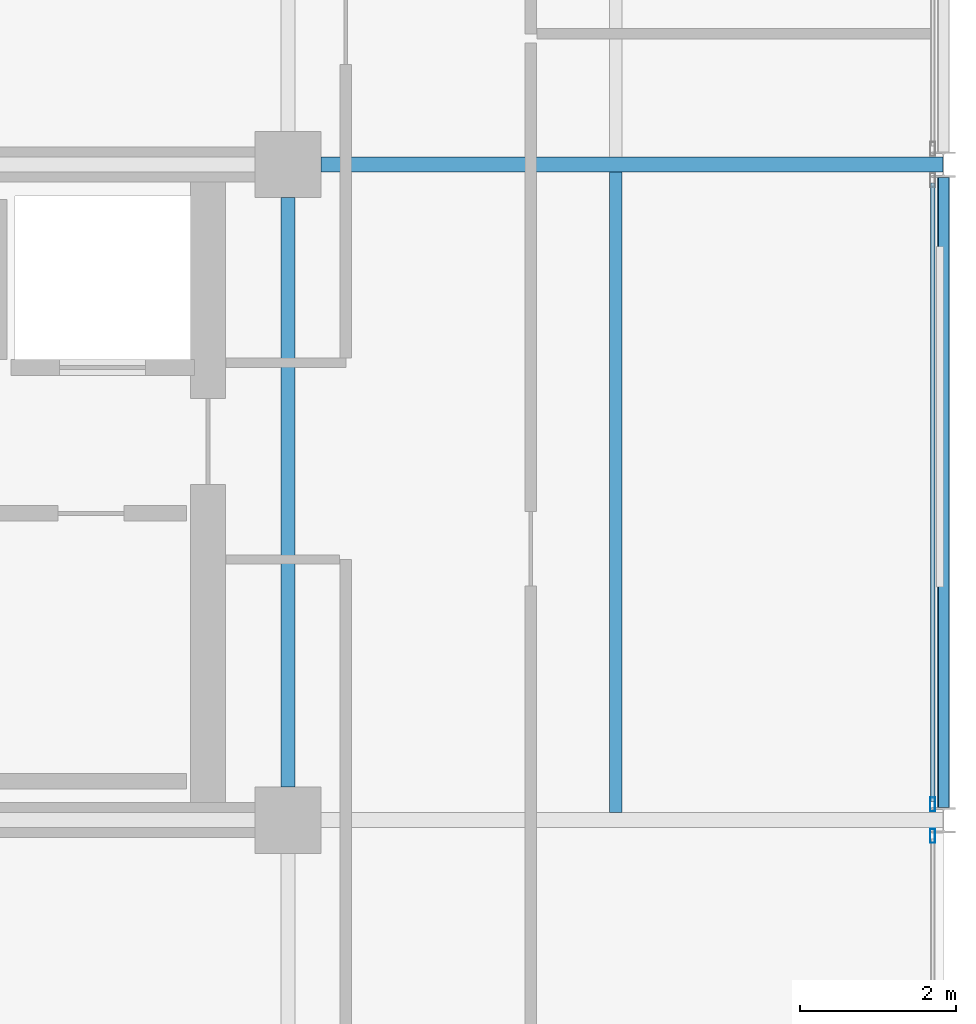
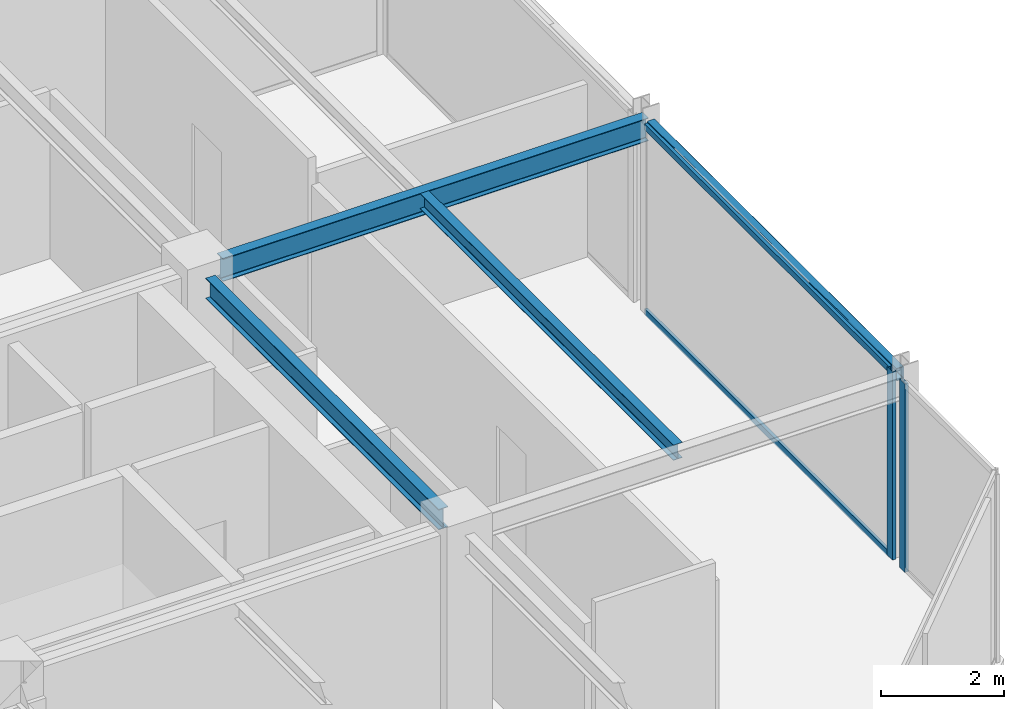
# One storey, part 15 of 26: 4 beams, 4 members, 2 elements without a shape of their own.
"""IFC4 building model written with IfcOpenShell, lengths in metres."""

from ifc_helpers import new_model, si_unit, direction, frame, origin, origin_2d, place, context, subcontext, project, spatial, hollow_rectangle, i_section, extrude, material, layer, layer_set, material_profile, profile_set, type_object, element, aggregate, save


model = new_model("IFC4")

# Units and contexts
model_context = context("Model", 3, precision=1e-05, world=origin(), true_north=direction((0.0, 1.0)))
body_context = subcontext(model_context, "Body", "Model", "MODEL_VIEW")
ifc_project = project(units=[si_unit("LENGTHUNIT", "METRE"), si_unit("AREAUNIT", "SQUARE_METRE"), si_unit("VOLUMEUNIT", "CUBIC_METRE"), si_unit("PLANEANGLEUNIT", "RADIAN"), si_unit("MASSUNIT", "GRAM", prefix="KILO")], contexts=[model_context])

# Site, building, storey
site_placement = place(None, origin())
site = spatial("IfcSite", under=ifc_project, at=site_placement, CompositionType="ELEMENT")
building_placement = place(site_placement, origin())
building = spatial("IfcBuilding", under=site, at=building_placement, Name="Nerrivon Quay Data Exchange", CompositionType="ELEMENT")
storey_placement = place(building_placement, frame((0.0, 0.0, 258.199951171875)))
storey = spatial("IfcBuildingStorey", under=building, at=storey_placement, Name="L61", CompositionType="ELEMENT", Elevation=258.199951171875)

# Beams
ifc_material_1 = material(Name="Steel Grade 350", Category="steel")
ifc_material_profile_1 = material_profile(ifc_material_1, i_section(OverallWidth=0.18994140625, OverallDepth=0.4541015625, WebThickness=0.008544921875, FlangeThickness=0.0126953125, FilletRadius=0.011474609375, at=origin_2d()), Name="460UB67.1")
ifc_profile_set_1 = profile_set([ifc_material_profile_1], Name="Steel Grade 350")
beam_type_1 = type_object("IfcBeamType", Name="BM-G6-460UB67", PredefinedType="BEAM", material=ifc_profile_set_1)
beam_1_placement = place(storey_placement, frame((34.02490234375, 16.800048828125, 3.498046875), z_axis=(1.0, 0.0, 0.0), x_axis=(0.0, 1.0, 0.0)))
element("IfcBeam", 1, at=beam_1_placement, inside=storey, type_object=beam_type_1, Name="L61 EW Girder Y=16.8 (33.6..42.0)", PredefinedType="BEAM", context=body_context, shape_type="SweptSolid", body=[
    extrude(i_section(OverallWidth=0.18994140625, OverallDepth=0.4541015625, WebThickness=0.008544921875, FlangeThickness=0.0126953125, FilletRadius=0.011474609375, at=origin_2d()), origin(), (0.0, 0.0, 1.0), 7.96728515625),
])
ifc_material_profile_2 = material_profile(ifc_material_1, i_section(OverallWidth=0.177978515625, OverallDepth=0.406005859375, WebThickness=0.0078125, FlangeThickness=0.0126953125, FilletRadius=0.011474609375, at=origin_2d()), Name="410UB59.7")
ifc_profile_set_2 = profile_set([ifc_material_profile_2], Name="Steel Grade 350")
beam_type_2 = type_object("IfcBeamType", Name="BM-J1-410UB60", PredefinedType="JOIST", material=ifc_profile_set_2)
beam_2_placement = place(storey_placement, frame((33.60009765625, 8.824951171875, 3.52197265625), z_axis=(0.0, 1.0, 0.0), x_axis=(-1.0, 0.0, 0.0)))
element("IfcBeam", 2, at=beam_2_placement, inside=storey, type_object=beam_type_2, Name="L61 NS Girder X=33.6 (8.4..16.8)", PredefinedType="JOIST", context=body_context, shape_type="SweptSolid", body=[
    extrude(i_section(OverallWidth=0.177978515625, OverallDepth=0.406005859375, WebThickness=0.0078125, FlangeThickness=0.0126953125, FilletRadius=0.011474609375, at=origin_2d()), origin(), (0.0, 0.0, 1.0), 7.550048828125),
])
ifc_material_profile_3 = material_profile(ifc_material_1, i_section(OverallWidth=0.1650390625, OverallDepth=0.303955078125, WebThickness=0.006103515625, FlangeThickness=0.01025390625, FilletRadius=0.011474609375, at=origin_2d()), Name="310UB40.4")
ifc_profile_set_3 = profile_set([ifc_material_profile_3], Name="Steel Grade 350")
beam_type_3 = type_object("IfcBeamType", Name="BM-J6-310UB40", PredefinedType="JOIST", material=ifc_profile_set_3)
beam_3_placement = place(storey_placement, frame((37.800048828125, 8.4951171875, 3.572998046875), z_axis=(0.0, 1.0, 0.0), x_axis=(-1.0, 0.0, 0.0)))
element("IfcBeam", 3, at=beam_3_placement, inside=storey, type_object=beam_type_3, Name="L61 Secondary Joist X=37.8 (8.4..16.8)", PredefinedType="JOIST", context=body_context, shape_type="SweptSolid", body=[
    extrude(i_section(OverallWidth=0.1650390625, OverallDepth=0.303955078125, WebThickness=0.006103515625, FlangeThickness=0.01025390625, FilletRadius=0.011474609375, at=origin_2d()), origin(), (0.0, 0.0, 1.0), 8.2099609375),
])
ifc_material_2 = material(Name="Steel Grade C350L0 (350 MPa)", Category="steel")
ifc_material_profile_4 = material_profile(ifc_material_2, hollow_rectangle(XDim=0.14990234375, YDim=0.25, WallThickness=0.009033203125, InnerFilletRadius=0.013427734375, OuterFilletRadius=0.0224609375, at=origin_2d()), Name="250x150x9.0RHS")
ifc_profile_set_4 = profile_set([ifc_material_profile_4], Name="Steel Grade C350L0 (350 MPa)")
beam_type_4 = type_object("IfcBeamType", Name="BM-SP4-250x150RHS", PredefinedType="SPANDREL", material=ifc_profile_set_4)
beam_4_placement = place(storey_placement, frame((42.0, 8.5634765625, 3.60009765625), z_axis=(0.0, 1.0, 0.0), x_axis=(-1.0, 0.0, 0.0)))
element("IfcBeam", 4, at=beam_4_placement, inside=storey, type_object=beam_type_4, Name="L61 NS Girder X=42.0 (8.4..16.8)", PredefinedType="SPANDREL", context=body_context, shape_type="SweptSolid", body=[
    extrude(hollow_rectangle(XDim=0.14990234375, YDim=0.25, WallThickness=0.009033203125, InnerFilletRadius=0.013427734375, OuterFilletRadius=0.0224609375, at=origin_2d()), origin(), (0.0, 0.0, 1.0), 8.072998046875),
])

# Curtain wall, member
ifc_material_3 = material(Name="Anodised aluminium 6063-T6", Category="aluminium")
ifc_layer = layer(ifc_material_3, 0.195068359375)
ifc_layer_set = layer_set([ifc_layer], Name="Anodised aluminium 6063-T6")
curtain_wall_type = type_object("IfcCurtainWallType", Name="CW-SYS-06", PredefinedType="NOTDEFINED", material=ifc_layer_set)
curtain_wall_1_placement = place(storey_placement, origin())
curtain_wall_1 = element("IfcCurtainWall", 5, at=curtain_wall_1_placement, inside=storey, type_object=curtain_wall_type, Name="L61 Unitised Curtain Wall 27", PredefinedType="NOTDEFINED")
ifc_material_profile_5 = material_profile(ifc_material_3, hollow_rectangle(XDim=0.06494140625, YDim=0.179931640625, WallThickness=0.00341796875, at=origin_2d()), Name="ALU-MULL-180x65")
ifc_profile_set_5 = profile_set([ifc_material_profile_5], Name="Anodised aluminium 6063-T6")
member_type_1 = type_object("IfcMemberType", Name="CWM-180x65", PredefinedType="MULLION", material=ifc_profile_set_5)
member_1_placement = place(storey_placement, frame((41.860107421875, 8.60107421875, 0.0), z_axis=(0.0, 0.0, 1.0), x_axis=(1.0, 0.0, 0.0)))
member_1 = element("IfcMember", 6, at=member_1_placement, type_object=member_type_1, Name="CW06 mullion 2", PredefinedType="MULLION", context=body_context, shape_type="SweptSolid", body=[
    extrude(hollow_rectangle(XDim=0.06494140625, YDim=0.179931640625, WallThickness=0.00341796875, at=origin_2d()), origin(), (0.0, 0.0, 1.0), 3.72509765625),
])

curtain_wall_2_placement = place(storey_placement, origin())
curtain_wall_2 = element("IfcCurtainWall", 7, at=curtain_wall_2_placement, inside=storey, type_object=curtain_wall_type, Name="L61 Unitised Curtain Wall 28", PredefinedType="NOTDEFINED")
member_2_placement = place(storey_placement, frame((41.860107421875, 8.198974609375, 0.0), z_axis=(0.0, 0.0, 1.0), x_axis=(1.0, 0.0, 0.0)))
member_2 = element("IfcMember", 8, at=member_2_placement, type_object=member_type_1, Name="CW06 mullion 1", PredefinedType="MULLION", context=body_context, shape_type="SweptSolid", body=[
    extrude(hollow_rectangle(XDim=0.06494140625, YDim=0.179931640625, WallThickness=0.00341796875, at=origin_2d()), origin(), (0.0, 0.0, 1.0), 3.72509765625),
])
aggregate(curtain_wall_2, [member_2])

# Member
ifc_material_profile_6 = material_profile(ifc_material_3, hollow_rectangle(XDim=0.06005859375, YDim=0.1201171875, WallThickness=0.003173828125, at=origin_2d()), Name="ALU-TRAN-120x60")
ifc_profile_set_6 = profile_set([ifc_material_profile_6], Name="Anodised aluminium 6063-T6")
member_type_2 = type_object("IfcMemberType", Name="CWT-120x60", PredefinedType="USERDEFINED", material=ifc_profile_set_6)
member_3_placement = place(storey_placement, frame((41.860107421875, 16.5615234375, 0.032470703125), z_axis=(0.0, -1.0, 0.0), x_axis=(1.0, 0.0, 0.0)))
member_3 = element("IfcMember", 9, at=member_3_placement, type_object=member_type_2, Name="CW06 transom 1.1", ObjectType="TRANSOM", PredefinedType="USERDEFINED", context=body_context, shape_type="SweptSolid", body=[
    extrude(hollow_rectangle(XDim=0.06005859375, YDim=0.1201171875, WallThickness=0.003173828125, at=origin_2d()), origin(), (0.0, 0.0, 1.0), 7.923095703125),
])

member_4_placement = place(storey_placement, frame((41.860107421875, 16.5615234375, 3.692626953125), z_axis=(0.0, -1.0, 0.0), x_axis=(1.0, 0.0, 0.0)))
member_4 = element("IfcMember", 10, at=member_4_placement, type_object=member_type_2, Name="CW06 transom 1.2", ObjectType="TRANSOM", PredefinedType="USERDEFINED", context=body_context, shape_type="SweptSolid", body=[
    extrude(hollow_rectangle(XDim=0.06005859375, YDim=0.1201171875, WallThickness=0.003173828125, at=origin_2d()), origin(), (0.0, 0.0, 1.0), 7.923095703125),
])

aggregate(curtain_wall_1, [member_1, member_3, member_4])

save(model, "model.ifc")
